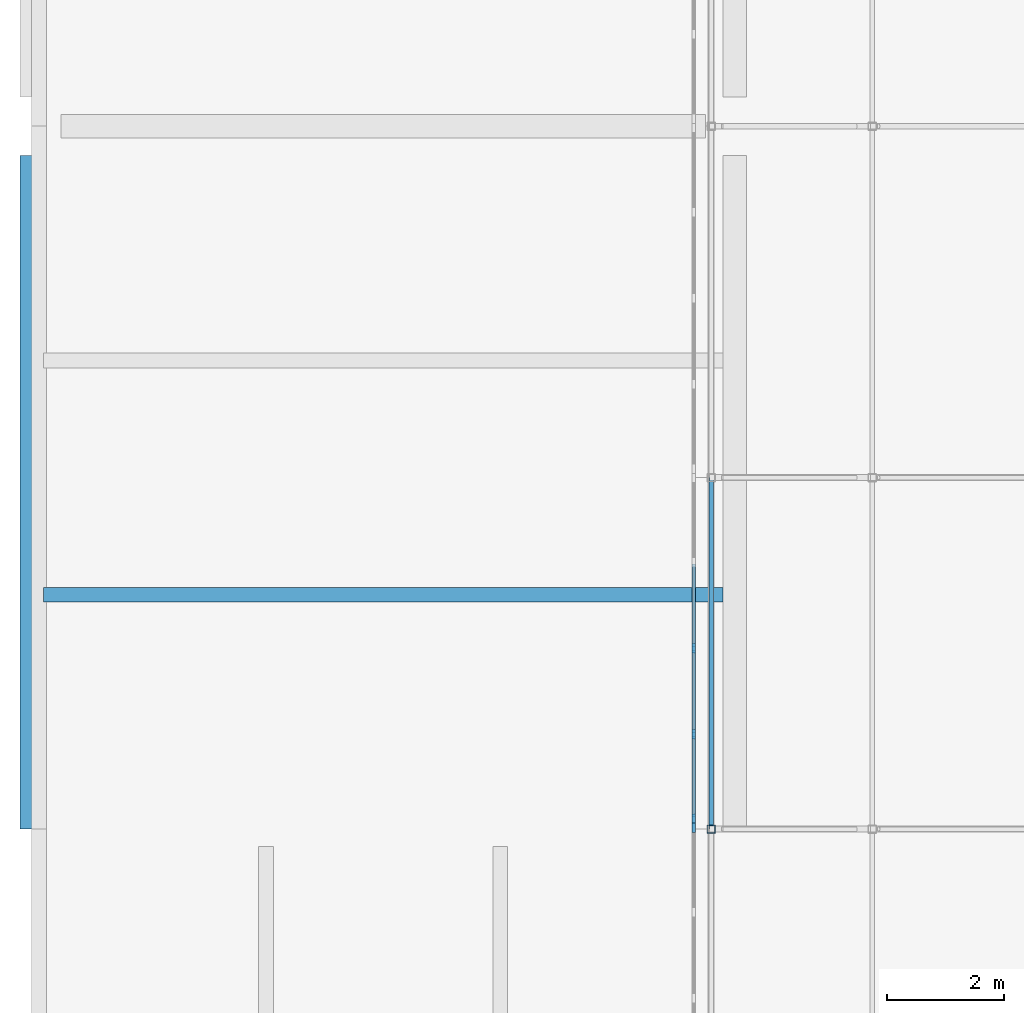
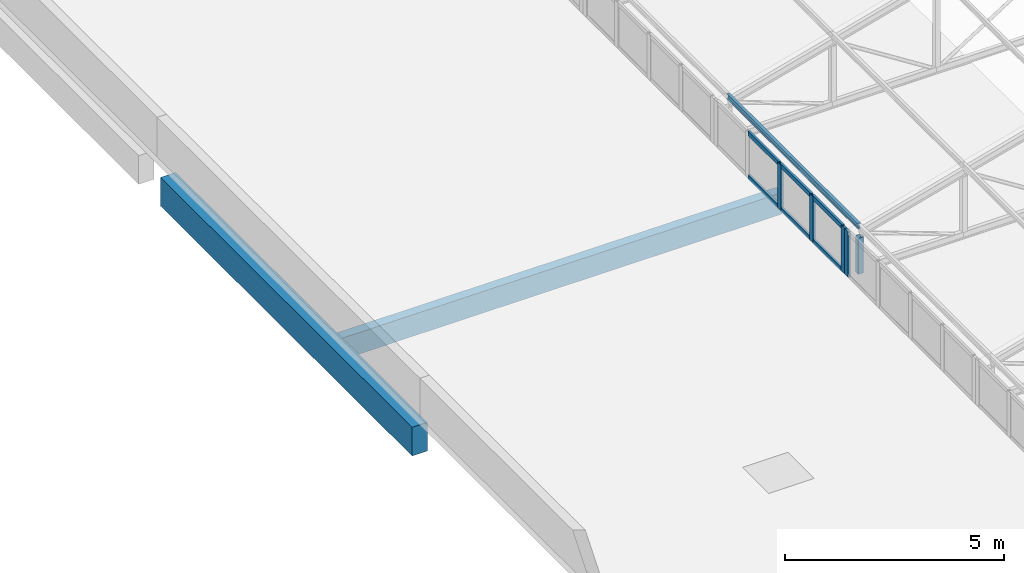
# One storey, part 23 of 94: 12 members, 2 beams, 2 elements without a shape of their own.
"""IFC4 building model written with IfcOpenShell, lengths in metres."""

from ifc_helpers import new_model, si_unit, direction, frame, origin, origin_2d, place, context, subcontext, project, spatial, rectangle, hollow_rectangle, i_section, extrude, material, layer, layer_set, material_profile, profile_set, type_object, element, aggregate, save


model = new_model("IFC4")

# Units and contexts
model_context = context("Model", 3, precision=1e-05, world=origin(), true_north=direction((0.0, 1.0)))
body_context = subcontext(model_context, "Body", "Model", "MODEL_VIEW")
ifc_project = project(units=[si_unit("LENGTHUNIT", "METRE"), si_unit("AREAUNIT", "SQUARE_METRE"), si_unit("VOLUMEUNIT", "CUBIC_METRE"), si_unit("PLANEANGLEUNIT", "RADIAN"), si_unit("MASSUNIT", "GRAM", prefix="KILO")], contexts=[model_context])

# Site, building, storey
site_placement = place(None, origin())
site = spatial("IfcSite", under=ifc_project, at=site_placement, CompositionType="ELEMENT")
building_placement = place(site_placement, origin())
building = spatial("IfcBuilding", under=site, at=building_placement, Name="Lilac Gate Convention Centre", CompositionType="ELEMENT")
storey_placement = place(building_placement, frame((0.0, 0.0, 21.0)))
storey = spatial("IfcBuildingStorey", under=building, at=storey_placement, Name="L04", CompositionType="ELEMENT", Elevation=21.0)

# Curtain wall, member
ifc_material_1 = material(Name="Aluminium framed double glazing", Category="aluminium")
ifc_layer = layer(ifc_material_1, 0.199951171875)
ifc_layer_set = layer_set([ifc_layer], Name="Aluminium framed double glazing")
curtain_wall_type = type_object("IfcCurtainWallType", Name="Unitised curtain wall 1500", PredefinedType="NOTDEFINED", material=ifc_layer_set)
curtain_wall_1_placement = place(storey_placement, origin())
curtain_wall_1 = element("IfcCurtainWall", 1, at=curtain_wall_1_placement, inside=storey, type_object=curtain_wall_type, Name="Lantern clerestory W 12", PredefinedType="NOTDEFINED")
ifc_material_2 = material(Name="Aluminium alloy 6063", Category="aluminium")
ifc_material_profile_1 = material_profile(ifc_material_2, rectangle(XDim=0.06005859375, YDim=0.159912109375, at=origin_2d()), Name="Curtain wall mullion 60 x 160")
ifc_profile_set_1 = profile_set([ifc_material_profile_1], Name="Aluminium alloy 6063")
member_type_1 = type_object("IfcMemberType", Name="Curtain wall mullion 60 x 160", PredefinedType="MULLION", material=ifc_profile_set_1)
member_1_placement = place(storey_placement, frame((17.300048828125, 102.02001953125, 0.0), z_axis=(0.0, 0.0, 1.0), x_axis=(-1.0, 0.0, 0.0)))
member_1 = element("IfcMember", 2, at=member_1_placement, type_object=member_type_1, Name="CW mullion 5", PredefinedType="MULLION", context=body_context, shape_type="SweptSolid", body=[
    extrude(rectangle(XDim=0.06005859375, YDim=0.159912109375, at=origin_2d()), origin(), (0.0, 0.0, 1.0), 1.272216796875),
])
aggregate(curtain_wall_1, [member_1])

# Curtain wall, members
curtain_wall_2_placement = place(storey_placement, origin())
curtain_wall_2 = element("IfcCurtainWall", 3, at=curtain_wall_2_placement, inside=storey, type_object=curtain_wall_type, Name="Lantern clerestory W 13", PredefinedType="NOTDEFINED")
member_2_placement = place(storey_placement, frame((17.300048828125, 102.179931640625, 0.0), z_axis=(0.0, 0.0, 1.0), x_axis=(-1.0, 0.0, 0.0)))
member_2 = element("IfcMember", 4, at=member_2_placement, type_object=member_type_1, Name="CW mullion 1", PredefinedType="MULLION", context=body_context, shape_type="SweptSolid", body=[
    extrude(rectangle(XDim=0.06005859375, YDim=0.159912109375, at=origin_2d()), origin(), (0.0, 0.0, 1.0), 1.272216796875),
])
member_3_placement = place(storey_placement, frame((17.300048828125, 103.61865234375, 0.0), z_axis=(0.0, 0.0, 1.0), x_axis=(-1.0, 0.0, 0.0)))
member_3 = element("IfcMember", 5, at=member_3_placement, type_object=member_type_1, Name="CW mullion 2", PredefinedType="MULLION", context=body_context, shape_type="SweptSolid", body=[
    extrude(rectangle(XDim=0.06005859375, YDim=0.159912109375, at=origin_2d()), origin(), (0.0, 0.0, 1.0), 1.272216796875),
])
member_4_placement = place(storey_placement, frame((17.300048828125, 105.08740234375, 0.0), z_axis=(0.0, 0.0, 1.0), x_axis=(-1.0, 0.0, 0.0)))
member_4 = element("IfcMember", 6, at=member_4_placement, type_object=member_type_1, Name="CW mullion 3", PredefinedType="MULLION", context=body_context, shape_type="SweptSolid", body=[
    extrude(rectangle(XDim=0.06005859375, YDim=0.159912109375, at=origin_2d()), origin(), (0.0, 0.0, 1.0), 1.272216796875),
])
ifc_material_profile_2 = material_profile(ifc_material_2, rectangle(XDim=0.06005859375, YDim=0.1201171875, at=origin_2d()), Name="Curtain wall transom 60 x 120")
ifc_profile_set_2 = profile_set([ifc_material_profile_2], Name="Aluminium alloy 6063")
member_type_2 = type_object("IfcMemberType", Name="Curtain wall transom 60 x 120", PredefinedType="USERDEFINED", material=ifc_profile_set_2)
member_5_placement = place(storey_placement, frame((17.300048828125, 102.2099609375, 0.030029296875), z_axis=(0.0, 1.0, 0.0), x_axis=(-1.0, 0.0, 0.0)))
member_5 = element("IfcMember", 7, at=member_5_placement, type_object=member_type_2, Name="CW transom 1.1", ObjectType="TRANSOM", PredefinedType="USERDEFINED", context=body_context, shape_type="SweptSolid", body=[
    extrude(rectangle(XDim=0.06005859375, YDim=0.1201171875, at=origin_2d()), origin(), (0.0, 0.0, 1.0), 1.378662109375),
])
member_6_placement = place(storey_placement, frame((17.300048828125, 102.2099609375, 1.2421875), z_axis=(0.0, 1.0, 0.0), x_axis=(-1.0, 0.0, 0.0)))
member_6 = element("IfcMember", 8, at=member_6_placement, type_object=member_type_2, Name="CW transom 1.2", ObjectType="TRANSOM", PredefinedType="USERDEFINED", context=body_context, shape_type="SweptSolid", body=[
    extrude(rectangle(XDim=0.06005859375, YDim=0.1201171875, at=origin_2d()), origin(), (0.0, 0.0, 1.0), 1.378662109375),
])
member_7_placement = place(storey_placement, frame((17.300048828125, 103.648681640625, 0.030029296875), z_axis=(0.0, 1.0, 0.0), x_axis=(-1.0, 0.0, 0.0)))
member_7 = element("IfcMember", 9, at=member_7_placement, type_object=member_type_2, Name="CW transom 2.1", ObjectType="TRANSOM", PredefinedType="USERDEFINED", context=body_context, shape_type="SweptSolid", body=[
    extrude(rectangle(XDim=0.06005859375, YDim=0.1201171875, at=origin_2d()), origin(), (0.0, 0.0, 1.0), 1.40869140625),
])
member_8_placement = place(storey_placement, frame((17.300048828125, 103.648681640625, 1.2421875), z_axis=(0.0, 1.0, 0.0), x_axis=(-1.0, 0.0, 0.0)))
member_8 = element("IfcMember", 10, at=member_8_placement, type_object=member_type_2, Name="CW transom 2.2", ObjectType="TRANSOM", PredefinedType="USERDEFINED", context=body_context, shape_type="SweptSolid", body=[
    extrude(rectangle(XDim=0.06005859375, YDim=0.1201171875, at=origin_2d()), origin(), (0.0, 0.0, 1.0), 1.40869140625),
])
member_9_placement = place(storey_placement, frame((17.300048828125, 105.117431640625, 0.030029296875), z_axis=(0.0, 1.0, 0.0), x_axis=(-1.0, 0.0, 0.0)))
member_9 = element("IfcMember", 11, at=member_9_placement, type_object=member_type_2, Name="CW transom 3.1", ObjectType="TRANSOM", PredefinedType="USERDEFINED", context=body_context, shape_type="SweptSolid", body=[
    extrude(rectangle(XDim=0.06005859375, YDim=0.1201171875, at=origin_2d()), origin(), (0.0, 0.0, 1.0), 1.40869140625),
])
member_10_placement = place(storey_placement, frame((17.300048828125, 105.117431640625, 1.2421875), z_axis=(0.0, 1.0, 0.0), x_axis=(-1.0, 0.0, 0.0)))
member_10 = element("IfcMember", 12, at=member_10_placement, type_object=member_type_2, Name="CW transom 3.2", ObjectType="TRANSOM", PredefinedType="USERDEFINED", context=body_context, shape_type="SweptSolid", body=[
    extrude(rectangle(XDim=0.06005859375, YDim=0.1201171875, at=origin_2d()), origin(), (0.0, 0.0, 1.0), 1.40869140625),
])
aggregate(curtain_wall_2, [member_2, member_3, member_4, member_5, member_6, member_7, member_8, member_9, member_10])

# Members
ifc_material_3 = material(Name="Steel Q355B", Category="steel")
ifc_material_profile_3 = material_profile(ifc_material_3, hollow_rectangle(XDim=0.139892578125, YDim=0.139892578125, WallThickness=0.0048828125, InnerFilletRadius=0.0048828125, OuterFilletRadius=0.010009765625, at=origin_2d()), Name="SHS140x140x5")
ifc_profile_set_3 = profile_set([ifc_material_profile_3], Name="Steel Q355B")
member_type_3 = type_object("IfcMemberType", Name="Lantern post SHS140x140x5", PredefinedType="STRUT", material=ifc_profile_set_3)
member_11_placement = place(storey_placement, frame((17.60009765625, 102.0, 0.0), z_axis=(0.0, 0.0, 1.0), x_axis=(1.0, 0.0, 0.0)))
element("IfcMember", 13, at=member_11_placement, inside=storey, type_object=member_type_3, Name="LV1 lantern truss 13 post 1", PredefinedType="STRUT", context=body_context, shape_type="SweptSolid", body=[
    extrude(hollow_rectangle(XDim=0.139892578125, YDim=0.139892578125, WallThickness=0.0048828125, InnerFilletRadius=0.0048828125, OuterFilletRadius=0.010009765625, at=origin_2d()), origin(), (0.0, 0.0, 1.0), 1.001953125),
])
ifc_material_profile_4 = material_profile(ifc_material_3, i_section(OverallWidth=0.074951171875, OverallDepth=0.14990234375, WebThickness=0.0048828125, FlangeThickness=0.007080078125, FilletRadius=0.008056640625, at=origin_2d()), Name="HN150x75x5x7")
ifc_profile_set_4 = profile_set([ifc_material_profile_4], Name="Steel Q355B")
member_type_4 = type_object("IfcMemberType", Name="Lantern purlin HN150x75x5x7", PredefinedType="PURLIN", material=ifc_profile_set_4)
member_12_placement = place(storey_placement, frame((17.60009765625, 102.0, 1.279052734375), z_axis=(0.0, 1.0, 0.0), x_axis=(-1.0, 0.0, 0.0)))
element("IfcMember", 14, at=member_12_placement, inside=storey, type_object=member_type_4, Name="LP1 lantern purlin bay 13 line 1", PredefinedType="PURLIN", context=body_context, shape_type="SweptSolid", body=[
    extrude(i_section(OverallWidth=0.074951171875, OverallDepth=0.14990234375, WebThickness=0.0048828125, FlangeThickness=0.007080078125, FilletRadius=0.008056640625, at=origin_2d()), origin(), (0.0, 0.0, 1.0), 6.0),
])

# Beams
ifc_material_4 = material(Name="Concrete C40", Category="concrete")
ifc_material_profile_5 = material_profile(ifc_material_4, rectangle(XDim=0.39990234375, YDim=0.800048828125, at=origin_2d()), Name="RC 400x800")
ifc_profile_set_5 = profile_set([ifc_material_profile_5], Name="Concrete C40")
beam_type_1 = type_object("IfcBeamType", Name="Tower primary beam 400x800 C40", PredefinedType="BEAM", material=ifc_profile_set_5)
beam_1_placement = place(storey_placement, frame((6.0, 102.0, -0.60009765625), z_axis=(0.0, 1.0, 0.0), x_axis=(-1.0, 0.0, 0.0)))
element("IfcBeam", 15, at=beam_1_placement, inside=storey, type_object=beam_type_1, Name="RB3 L04 1/G-1/H", PredefinedType="BEAM", context=body_context, shape_type="SweptSolid", body=[
    extrude(rectangle(XDim=0.39990234375, YDim=0.800048828125, at=origin_2d()), origin(), (0.0, 0.0, 1.0), 11.5),
])
ifc_material_profile_6 = material_profile(ifc_material_4, rectangle(XDim=0.25, YDim=0.60009765625, at=origin_2d()), Name="RC 250x600")
ifc_profile_set_6 = profile_set([ifc_material_profile_6], Name="Concrete C40")
beam_type_2 = type_object("IfcBeamType", Name="Tower secondary beam 250x600 C40", PredefinedType="BEAM", material=ifc_profile_set_6)
beam_2_placement = place(storey_placement, frame((6.199951171875, 106.0, -0.5), z_axis=(1.0, 0.0, 0.0), x_axis=(0.0, 1.0, 0.0)))
element("IfcBeam", 16, at=beam_2_placement, inside=storey, type_object=beam_type_2, Name="RB4 L04 bay 1/G", PredefinedType="BEAM", context=body_context, shape_type="SweptSolid", body=[
    extrude(rectangle(XDim=0.25, YDim=0.60009765625, at=origin_2d()), origin(), (0.0, 0.0, 1.0), 11.60009765625),
])

save(model, "model.ifc")
